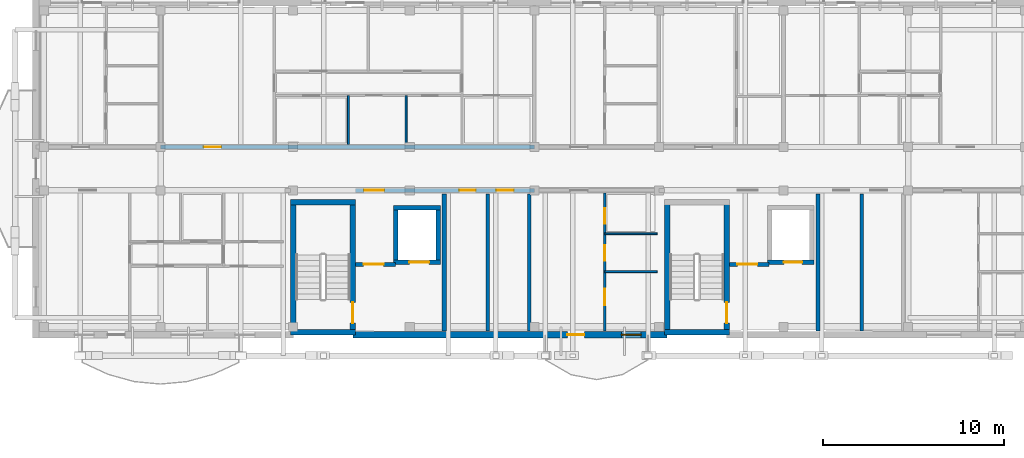
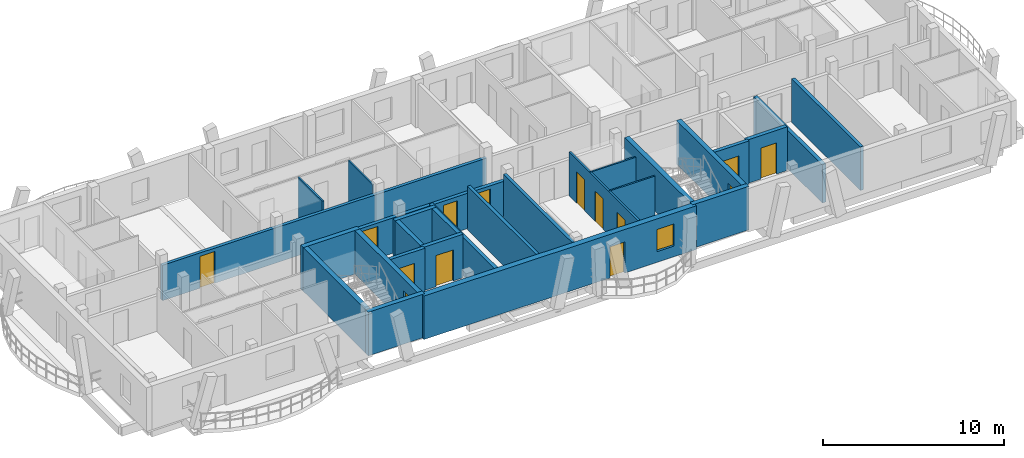
# One storey, part 34 of 50: 27 walls, 14 doors, 1 window, 15 openings.
"""IFC4 building model written with IfcOpenShell, lengths in metres."""

from ifc_helpers import new_model, si_unit, direction, frame, frame_2d, origin, origin_with_axes, place, context, subcontext, project, spatial, rectangle, extrude, material, layer, layer_set, type_object, element, fill, save


model = new_model("IFC4")

# Units and contexts
model_context = context("Model", 3, precision=1e-05, world=origin(), true_north=direction((0.0, 1.0)))
body_context = subcontext(model_context, "Body", "Model", "MODEL_VIEW")
ifc_project = project(units=[si_unit("LENGTHUNIT", "METRE"), si_unit("AREAUNIT", "SQUARE_METRE"), si_unit("VOLUMEUNIT", "CUBIC_METRE"), si_unit("PLANEANGLEUNIT", "RADIAN"), si_unit("MASSUNIT", "GRAM", prefix="KILO")], contexts=[model_context])

# Site, building, storey
site_placement = place(None, origin())
site = spatial("IfcSite", under=ifc_project, at=site_placement, CompositionType="ELEMENT")
building_placement = place(site_placement, origin())
building = spatial("IfcBuilding", under=site, at=building_placement, Name="Zavelmont Quarter", CompositionType="ELEMENT")
storey_placement = place(building_placement, frame((0.0, 0.0, 11.199951171875)))
storey = spatial("IfcBuildingStorey", under=building, at=storey_placement, Name="L03", CompositionType="ELEMENT", Elevation=11.199951171875)

# Wall, openings, door, window
ifc_material_1 = material(Name="Natural Belgian limestone", Category="masonry")
ifc_layer_1 = layer(ifc_material_1, 0.360107421875)
ifc_layer_set_1 = layer_set([ifc_layer_1], Name="Natural Belgian limestone")
wall_type_1 = type_object("IfcWallType", Name="EW02", PredefinedType="STANDARD", material=ifc_layer_set_1)
wall_1_placement = place(storey_placement, frame((130.35009765625, 97.60009765625, 0.0), z_axis=(0.0, 0.0, 1.0), x_axis=(1.0, 0.0, 0.0)))
wall_1 = element("IfcWall", 1, at=wall_1_placement, inside=storey, type_object=wall_type_1, Name="L03 exterior limestone wall EW02", PredefinedType="STANDARD", context=body_context, shape_type="SweptSolid", body=[
    extrude(rectangle(XDim=17.39990234375, YDim=0.360107421875, at=frame_2d((8.699951171875, 0.0))), origin(), (0.0, 0.0, 1.0), 2.93994140625),
])
opening_1_placement = place(wall_1_placement, frame((11.874267578125, 0.0, 0.0)))
opening_1 = element("IfcOpeningElement", 2, at=opening_1_placement, cuts=wall_1, Name="Opening DR04", PredefinedType="OPENING", context=body_context, shape_type="SweptSolid", body=[
    extrude(rectangle(XDim=0.949951171875, YDim=2.10009765625, at=frame_2d((0.47509765625, 1.050048828125))), frame((0.0, 0.19189453125, 0.0), z_axis=(0.0, -1.0, 0.0), x_axis=(1.0, 0.0, 0.0)), (0.0, 0.0, 1.0), 0.384033203125),
])
opening_2_placement = place(wall_1_placement, frame((14.8701171875, 0.0, 0.719970703125)))
opening_2 = element("IfcOpeningElement", 3, at=opening_2_placement, cuts=wall_1, Name="Opening WN09", PredefinedType="OPENING", context=body_context, shape_type="SweptSolid", body=[
    extrude(rectangle(XDim=1.10009765625, YDim=1.5, at=frame_2d((0.550048828125, 0.75))), frame((0.0, 0.19189453125, 0.0), z_axis=(0.0, -1.0, 0.0), x_axis=(1.0, 0.0, 0.0)), (0.0, 0.0, 1.0), 0.384033203125),
])
ifc_material_2 = material(Name="Thermally broken aluminium and double safety glass", Category="aluminium")
door_type_1 = type_object("IfcDoorType", Name="DR04", OperationType="NOTDEFINED", PredefinedType="DOOR", material=ifc_material_2)
door_1_placement = place(opening_1_placement, origin_with_axes())
door_1 = element("IfcDoor", 4, at=door_1_placement, inside=storey, type_object=door_type_1, Name="Block C L03 glazed balcony door", OperationType="SINGLE_SWING_RIGHT", OverallHeight=2.10009765625, OverallWidth=0.949951171875, PredefinedType="DOOR", context=body_context, shape_type="SweptSolid", body=[
    extrude(rectangle(XDim=0.949951171875, YDim=2.10009765625, at=frame_2d((0.47509765625, 1.050048828125))), frame((0.0, 0.02490234375, 0.0), z_axis=(0.0, -1.0, 0.0), x_axis=(1.0, 0.0, 0.0)), (0.0, 0.0, 1.0), 0.050048828125),
])
fill(opening_1, door_1)
ifc_material_3 = material(Name="Double low-E insulated glazing in thermally broken aluminium frame", Category="aluminium")
window_type = type_object("IfcWindowType", Name="WN09", PartitioningType="SINGLE_PANEL", PredefinedType="WINDOW", material=ifc_material_3)
window_placement = place(opening_2_placement, origin_with_axes())
window = element("IfcWindow", 5, at=window_placement, inside=storey, type_object=window_type, Name="L03 window WN09", OverallHeight=1.5, OverallWidth=1.10009765625, PartitioningType="SINGLE_PANEL", PredefinedType="WINDOW", context=body_context, shape_type="SweptSolid", body=[
    extrude(rectangle(XDim=1.10009765625, YDim=1.5, at=frame_2d((0.550048828125, 0.75))), frame((0.0, 0.030029296875, 0.0), z_axis=(0.0, -1.0, 0.0), x_axis=(1.0, 0.0, 0.0)), (0.0, 0.0, 1.0), 0.06005859375),
])
fill(opening_2, window)

# Walls
ifc_material_4 = material(Name="Calcium-silicate blockwork and acoustic plaster", Category="masonry")
ifc_layer_2 = layer(ifc_material_4, 0.199951171875)
ifc_layer_set_2 = layer_set([ifc_layer_2], Name="Calcium-silicate blockwork and acoustic plaster")
wall_type_2 = type_object("IfcWallType", Name="IW01", PredefinedType="PARTITIONING", material=ifc_layer_set_2)
for number, where, z_axis, x_axis, name in (
    (6, (137.824951171875, 97.800048828125, 0.0), (0.0, 0.0, 1.0), (0.0, 1.0, 0.0), "L03 Service riser divider wall IW01"),
    (7, (140.1201171875, 97.800048828125, 0.0), (0.0, 0.0, 1.0), (0.0, 1.0, 0.0), "L03 Core service end wall IW01"),
    (8, (158.52490234375, 97.800048828125, 0.0), (0.0, 0.0, 1.0), (0.0, 1.0, 0.0), "L03 Service riser divider wall IW01"),
):
    element("IfcWall", number, at=place(storey_placement, frame(where, z_axis=z_axis, x_axis=x_axis)), inside=storey, type_object=wall_type_2, Name=name, PredefinedType="PARTITIONING", context=body_context, shape_type="SweptSolid", body=[
        extrude(rectangle(XDim=7.599853515625, YDim=0.199951171875, at=frame_2d((3.7998046875, 0.0))), origin(), (0.0, 0.0, 1.0), 2.93994140625),
    ])

# Wall, opening, door
wall_2_placement = place(storey_placement, frame((119.699951171875, 108.0, 0.0), z_axis=(0.0, 0.0, 1.0), x_axis=(1.0, 0.0, 0.0)))
wall_2 = element("IfcWall", 9, at=wall_2_placement, inside=storey, type_object=wall_type_2, Name="L03 Corridor compartment wall IW01", PredefinedType="PARTITIONING", context=body_context, shape_type="SweptSolid", body=[
    extrude(rectangle(XDim=20.699951171875, YDim=0.199951171875, at=frame_2d((10.35009765625, 0.0))), origin(), (0.0, 0.0, 1.0), 2.380126953125),
])
opening_3_placement = place(wall_2_placement, frame((2.39990234375, 0.0, 0.0)))
opening_3 = element("IfcOpeningElement", 10, at=opening_3_placement, cuts=wall_2, Name="Opening DR02", PredefinedType="OPENING", context=body_context, shape_type="SweptSolid", body=[
    extrude(rectangle(XDim=0.949951171875, YDim=2.14990234375, at=frame_2d((0.47509765625, 1.074951171875))), frame((0.0, 0.11181640625, 0.0), z_axis=(0.0, -1.0, 0.0), x_axis=(1.0, 0.0, 0.0)), (0.0, 0.0, 1.0), 0.223876953125),
])
ifc_material_5 = material(Name="Solid-core oak fire leaf in steel frame", Category="steel")
door_type_2 = type_object("IfcDoorType", Name="DR02", OperationType="NOTDEFINED", PredefinedType="DOOR", material=ifc_material_5)
door_2_placement = place(opening_3_placement, origin_with_axes())
door_2 = element("IfcDoor", 11, at=door_2_placement, inside=storey, type_object=door_type_2, Name="L03 door DR02", OperationType="SINGLE_SWING_RIGHT", OverallHeight=2.14990234375, OverallWidth=0.949951171875, PredefinedType="DOOR", context=body_context, shape_type="SweptSolid", body=[
    extrude(rectangle(XDim=0.949951171875, YDim=2.14990234375, at=frame_2d((0.47509765625, 1.074951171875))), frame((0.0, 0.02490234375, 0.0), z_axis=(0.0, -1.0, 0.0), x_axis=(1.0, 0.0, 0.0)), (0.0, 0.0, 1.0), 0.050048828125),
])
fill(opening_3, door_2)

# Wall
ifc_material_6 = material(Name="Reinforced masonry fire compartment wall", Category="masonry")
ifc_layer_3 = layer(ifc_material_6, 0.22509765625)
ifc_layer_set_3 = layer_set([ifc_layer_3], Name="Reinforced masonry fire compartment wall")
wall_type_3 = type_object("IfcWallType", Name="IW02", PredefinedType="PARTITIONING", material=ifc_layer_set_3)
wall_3_placement = place(storey_placement, frame((135.409912109375, 97.800048828125, 0.0), z_axis=(0.0, 0.0, 1.0), x_axis=(0.0, 1.0, 0.0)))
element("IfcWall", 12, at=wall_3_placement, inside=storey, type_object=wall_type_3, Name="L03 Firefighting lobby enclosure wall IW02", PredefinedType="PARTITIONING", context=body_context, shape_type="SweptSolid", body=[
    extrude(rectangle(XDim=7.599853515625, YDim=0.22509765625, at=frame_2d((3.7998046875, 0.0))), origin(), (0.0, 0.0, 1.0), 2.590087890625),
])

# Wall, opening, door
wall_4_placement = place(storey_placement, frame((130.5, 101.5, 0.0), z_axis=(0.0, 0.0, 1.0), x_axis=(1.0, 0.0, 0.0)))
wall_4 = element("IfcWall", 13, at=wall_4_placement, inside=storey, type_object=wall_type_3, Name="L03 Firefighting lobby threshold wall IW02", PredefinedType="PARTITIONING", context=body_context, shape_type="SweptSolid", body=[
    extrude(rectangle(XDim=2.199951171875, YDim=0.22509765625, at=frame_2d((1.10009765625, 0.0))), origin(), (0.0, 0.0, 1.0), 2.93994140625),
])
opening_4_placement = place(wall_4_placement, frame((0.449951171875, 0.0, 0.0)))
opening_4 = element("IfcOpeningElement", 14, at=opening_4_placement, cuts=wall_4, Name="Opening DR10", PredefinedType="OPENING", context=body_context, shape_type="SweptSolid", body=[
    extrude(rectangle(XDim=1.10009765625, YDim=2.14990234375, at=frame_2d((0.550048828125, 1.074951171875))), frame((0.0, 0.12451171875, 0.0), z_axis=(0.0, -1.0, 0.0), x_axis=(1.0, 0.0, 0.0)), (0.0, 0.0, 1.0), 0.2490234375),
])
ifc_material_7 = material(Name="Painted steel lobby fire door", Category="steel")
door_type_3 = type_object("IfcDoorType", Name="DR10", OperationType="NOTDEFINED", PredefinedType="DOOR", material=ifc_material_7)
door_3_placement = place(opening_4_placement, frame((1.10009765625, 0.0, 0.0), z_axis=(0.0, 0.0, 1.0), x_axis=(-1.0, 0.0, 0.0)))
door_3 = element("IfcDoor", 15, at=door_3_placement, inside=storey, type_object=door_type_3, Name="Firefighting lobby fire door", OperationType="SINGLE_SWING_LEFT", OverallHeight=2.14990234375, OverallWidth=1.10009765625, PredefinedType="DOOR", context=body_context, shape_type="SweptSolid", body=[
    extrude(rectangle(XDim=1.10009765625, YDim=2.14990234375, at=frame_2d((0.550048828125, 1.074951171875))), frame((0.0, 0.02490234375, 0.0), z_axis=(0.0, -1.0, 0.0), x_axis=(1.0, 0.0, 0.0)), (0.0, 0.0, 1.0), 0.050048828125),
])
fill(opening_4, door_3)

# Wall, openings, doors
wall_5_placement = place(storey_placement, frame((130.5, 105.60009765625, 0.0), z_axis=(0.0, 0.0, 1.0), x_axis=(1.0, 0.0, 0.0)))
wall_5 = element("IfcWall", 16, at=wall_5_placement, inside=storey, type_object=wall_type_3, Name="L03 Core corridor fire wall IW02", PredefinedType="PARTITIONING", context=body_context, shape_type="SweptSolid", body=[
    extrude(rectangle(XDim=9.89990234375, YDim=0.22509765625, at=frame_2d((4.949951171875, 0.0))), origin(), (0.0, 0.0, 1.0), 2.380126953125),
])
opening_5_placement = place(wall_5_placement, frame((0.47509765625, 0.0, 0.0)))
opening_5 = element("IfcOpeningElement", 17, at=opening_5_placement, cuts=wall_5, Name="Opening DR10", PredefinedType="OPENING", context=body_context, shape_type="SweptSolid", body=[
    extrude(rectangle(XDim=1.10009765625, YDim=2.14990234375, at=frame_2d((0.550048828125, 1.074951171875))), frame((0.0, 0.12451171875, 0.0), z_axis=(0.0, -1.0, 0.0), x_axis=(1.0, 0.0, 0.0)), (0.0, 0.0, 1.0), 0.2490234375),
])
opening_6_placement = place(wall_5_placement, frame((5.75, 0.0, 0.0)))
opening_6 = element("IfcOpeningElement", 18, at=opening_6_placement, cuts=wall_5, Name="Opening DR11", PredefinedType="OPENING", context=body_context, shape_type="SweptSolid", body=[
    extrude(rectangle(XDim=0.89990234375, YDim=2.10009765625, at=frame_2d((0.449951171875, 1.050048828125))), frame((0.0, 0.12451171875, 0.0), z_axis=(0.0, -1.0, 0.0), x_axis=(1.0, 0.0, 0.0)), (0.0, 0.0, 1.0), 0.2490234375),
])
opening_7_placement = place(wall_5_placement, frame((7.800048828125, 0.0, 0.0)))
opening_7 = element("IfcOpeningElement", 19, at=opening_7_placement, cuts=wall_5, Name="Opening DR02", PredefinedType="OPENING", context=body_context, shape_type="SweptSolid", body=[
    extrude(rectangle(XDim=0.949951171875, YDim=2.14990234375, at=frame_2d((0.47509765625, 1.074951171875))), frame((0.0, 0.12451171875, 0.0), z_axis=(0.0, -1.0, 0.0), x_axis=(1.0, 0.0, 0.0)), (0.0, 0.0, 1.0), 0.2490234375),
])
door_4_placement = place(opening_7_placement, origin_with_axes())
door_4 = element("IfcDoor", 20, at=door_4_placement, inside=storey, type_object=door_type_2, Name="Auxiliary store corridor door", OperationType="SINGLE_SWING_RIGHT", OverallHeight=2.14990234375, OverallWidth=0.949951171875, PredefinedType="DOOR", context=body_context, shape_type="SweptSolid", body=[
    extrude(rectangle(XDim=0.949951171875, YDim=2.14990234375, at=frame_2d((0.47509765625, 1.074951171875))), frame((0.0, 0.02490234375, 0.0), z_axis=(0.0, -1.0, 0.0), x_axis=(1.0, 0.0, 0.0)), (0.0, 0.0, 1.0), 0.050048828125),
])
fill(opening_7, door_4)
door_5_placement = place(opening_5_placement, frame((1.10009765625, 0.0, 0.0), z_axis=(0.0, 0.0, 1.0), x_axis=(-1.0, 0.0, 0.0)))
door_5 = element("IfcDoor", 21, at=door_5_placement, inside=storey, type_object=door_type_3, Name="Core vestibule fire door", OperationType="SINGLE_SWING_RIGHT", OverallHeight=2.14990234375, OverallWidth=1.10009765625, PredefinedType="DOOR", context=body_context, shape_type="SweptSolid", body=[
    extrude(rectangle(XDim=1.10009765625, YDim=2.14990234375, at=frame_2d((0.550048828125, 1.074951171875))), frame((0.0, 0.02490234375, 0.0), z_axis=(0.0, -1.0, 0.0), x_axis=(1.0, 0.0, 0.0)), (0.0, 0.0, 1.0), 0.050048828125),
])
fill(opening_5, door_5)
ifc_material_8 = material(Name="Painted steel service-riser fire door", Category="steel")
door_type_4 = type_object("IfcDoorType", Name="DR11", OperationType="NOTDEFINED", PredefinedType="DOOR", material=ifc_material_8)
door_6_placement = place(opening_6_placement, origin_with_axes())
door_6 = element("IfcDoor", 22, at=door_6_placement, inside=storey, type_object=door_type_4, Name="Service riser fire door", OperationType="SINGLE_SWING_LEFT", OverallHeight=2.10009765625, OverallWidth=0.89990234375, PredefinedType="DOOR", context=body_context, shape_type="SweptSolid", body=[
    extrude(rectangle(XDim=0.89990234375, YDim=2.10009765625, at=frame_2d((0.449951171875, 1.050048828125))), frame((0.0, 0.02490234375, 0.0), z_axis=(0.0, -1.0, 0.0), x_axis=(1.0, 0.0, 0.0)), (0.0, 0.0, 1.0), 0.050048828125),
])
fill(opening_6, door_6)

# Wall
wall_6_placement = place(storey_placement, frame((156.110107421875, 97.800048828125, 0.0), z_axis=(0.0, 0.0, 1.0), x_axis=(0.0, 1.0, 0.0)))
element("IfcWall", 23, at=wall_6_placement, inside=storey, type_object=wall_type_3, Name="L03 Firefighting lobby enclosure wall IW02", PredefinedType="PARTITIONING", context=body_context, shape_type="SweptSolid", body=[
    extrude(rectangle(XDim=7.599853515625, YDim=0.22509765625, at=frame_2d((3.7998046875, 0.0))), origin(), (0.0, 0.0, 1.0), 2.590087890625),
])

# Wall, opening, door
wall_7_placement = place(storey_placement, frame((151.199951171875, 101.5, 0.0), z_axis=(0.0, 0.0, 1.0), x_axis=(1.0, 0.0, 0.0)))
wall_7 = element("IfcWall", 24, at=wall_7_placement, inside=storey, type_object=wall_type_3, Name="L03 Firefighting lobby threshold wall IW02", PredefinedType="PARTITIONING", context=body_context, shape_type="SweptSolid", body=[
    extrude(rectangle(XDim=2.199951171875, YDim=0.22509765625, at=frame_2d((1.10009765625, 0.0))), origin(), (0.0, 0.0, 1.0), 2.93994140625),
])
opening_8_placement = place(wall_7_placement, frame((0.449951171875, 0.0, 0.0)))
opening_8 = element("IfcOpeningElement", 25, at=opening_8_placement, cuts=wall_7, Name="Opening DR10", PredefinedType="OPENING", context=body_context, shape_type="SweptSolid", body=[
    extrude(rectangle(XDim=1.10009765625, YDim=2.14990234375, at=frame_2d((0.550048828125, 1.074951171875))), frame((0.0, 0.12451171875, 0.0), z_axis=(0.0, -1.0, 0.0), x_axis=(1.0, 0.0, 0.0)), (0.0, 0.0, 1.0), 0.2490234375),
])
door_7_placement = place(opening_8_placement, frame((1.10009765625, 0.0, 0.0), z_axis=(0.0, 0.0, 1.0), x_axis=(-1.0, 0.0, 0.0)))
door_7 = element("IfcDoor", 26, at=door_7_placement, inside=storey, type_object=door_type_3, Name="Firefighting lobby fire door", OperationType="SINGLE_SWING_RIGHT", OverallHeight=2.14990234375, OverallWidth=1.10009765625, PredefinedType="DOOR", context=body_context, shape_type="SweptSolid", body=[
    extrude(rectangle(XDim=1.10009765625, YDim=2.14990234375, at=frame_2d((0.550048828125, 1.074951171875))), frame((0.0, 0.02490234375, 0.0), z_axis=(0.0, -1.0, 0.0), x_axis=(1.0, 0.0, 0.0)), (0.0, 0.0, 1.0), 0.050048828125),
])
fill(opening_8, door_7)

# Wall, openings, doors
ifc_material_9 = material(Name="Double gypsum board on acoustic steel stud", Category="steel")
ifc_layer_4 = layer(ifc_material_9, 0.125)
ifc_layer_set_4 = layer_set([ifc_layer_4], Name="Double gypsum board on acoustic steel stud")
wall_type_4 = type_object("IfcWallType", Name="IW03", PredefinedType="PARTITIONING", material=ifc_layer_set_4)
wall_8_placement = place(storey_placement, frame((144.300048828125, 105.449951171875, 0.0), z_axis=(0.0, 0.0, 1.0), x_axis=(0.0, -1.0, 0.0)))
wall_8 = element("IfcWall", 27, at=wall_8_placement, inside=storey, type_object=wall_type_4, Name="L03 Partition IW03", PredefinedType="PARTITIONING", context=body_context, shape_type="SweptSolid", body=[
    extrude(rectangle(XDim=7.64990234375, YDim=0.125, at=frame_2d((3.824951171875, 0.0))), origin(), (0.0, 0.0, 1.0), 2.93994140625),
])
opening_9_placement = place(wall_8_placement, frame((0.85009765625, 0.0, 0.0)))
opening_9 = element("IfcOpeningElement", 28, at=opening_9_placement, cuts=wall_8, Name="Opening DR16", PredefinedType="OPENING", context=body_context, shape_type="SweptSolid", body=[
    extrude(rectangle(XDim=0.85009765625, YDim=2.10009765625, at=frame_2d((0.425048828125, 1.050048828125))), frame((0.0, 0.074462890625, 0.0), z_axis=(0.0, -1.0, 0.0), x_axis=(1.0, 0.0, 0.0)), (0.0, 0.0, 1.0), 0.14892578125),
])
opening_10_placement = place(wall_8_placement, frame((2.89990234375, 0.0, 0.0)))
opening_10 = element("IfcOpeningElement", 29, at=opening_10_placement, cuts=wall_8, Name="Opening DR06", PredefinedType="OPENING", context=body_context, shape_type="SweptSolid", body=[
    extrude(rectangle(XDim=0.85009765625, YDim=2.050048828125, at=frame_2d((0.425048828125, 1.02490234375))), frame((0.0, 0.074462890625, 0.0), z_axis=(0.0, -1.0, 0.0), x_axis=(1.0, 0.0, 0.0)), (0.0, 0.0, 1.0), 0.14892578125),
])
opening_11_placement = place(wall_8_placement, frame((5.300048828125, 0.0, 0.0)))
opening_11 = element("IfcOpeningElement", 30, at=opening_11_placement, cuts=wall_8, Name="Opening DR05", PredefinedType="OPENING", context=body_context, shape_type="SweptSolid", body=[
    extrude(rectangle(XDim=0.89990234375, YDim=2.10009765625, at=frame_2d((0.449951171875, 1.050048828125))), frame((0.0, 0.074462890625, 0.0), z_axis=(0.0, -1.0, 0.0), x_axis=(1.0, 0.0, 0.0)), (0.0, 0.0, 1.0), 0.14892578125),
])
ifc_material_10 = material(Name="Engineered oak flush interior door")
door_type_5 = type_object("IfcDoorType", Name="DR05", OperationType="NOTDEFINED", PredefinedType="DOOR", material=ifc_material_10)
door_8_placement = place(opening_11_placement, frame((0.89990234375, 0.0, 0.0), z_axis=(0.0, 0.0, 1.0), x_axis=(-1.0, 0.0, 0.0)))
door_8 = element("IfcDoor", 31, at=door_8_placement, inside=storey, type_object=door_type_5, Name="L03 door DR05", OperationType="SINGLE_SWING_RIGHT", OverallHeight=2.10009765625, OverallWidth=0.89990234375, PredefinedType="DOOR", context=body_context, shape_type="SweptSolid", body=[
    extrude(rectangle(XDim=0.89990234375, YDim=2.10009765625, at=frame_2d((0.449951171875, 1.050048828125))), frame((0.0, 0.02490234375, 0.0), z_axis=(0.0, -1.0, 0.0), x_axis=(1.0, 0.0, 0.0)), (0.0, 0.0, 1.0), 0.050048828125),
])
fill(opening_11, door_8)
ifc_material_11 = material(Name="Moisture-resistant painted wet-room door")
door_type_6 = type_object("IfcDoorType", Name="DR06", OperationType="NOTDEFINED", PredefinedType="DOOR", material=ifc_material_11)
door_9_placement = place(opening_10_placement, origin_with_axes())
door_9 = element("IfcDoor", 32, at=door_9_placement, inside=storey, type_object=door_type_6, Name="L03 door DR06", OperationType="SINGLE_SWING_LEFT", OverallHeight=2.050048828125, OverallWidth=0.85009765625, PredefinedType="DOOR", context=body_context, shape_type="SweptSolid", body=[
    extrude(rectangle(XDim=0.85009765625, YDim=2.050048828125, at=frame_2d((0.425048828125, 1.02490234375))), frame((0.0, 0.02490234375, 0.0), z_axis=(0.0, -1.0, 0.0), x_axis=(1.0, 0.0, 0.0)), (0.0, 0.0, 1.0), 0.050048828125),
])
fill(opening_10, door_9)
door_type_7 = type_object("IfcDoorType", Name="DR16", OperationType="NOTDEFINED", PredefinedType="DOOR", material=ifc_material_10)
door_10_placement = place(opening_9_placement, frame((0.85009765625, 0.0, 0.0), z_axis=(0.0, 0.0, 1.0), x_axis=(-1.0, 0.0, 0.0)))
door_10 = element("IfcDoor", 33, at=door_10_placement, inside=storey, type_object=door_type_7, Name="L03 door DR16", OperationType="SINGLE_SWING_RIGHT", OverallHeight=2.10009765625, OverallWidth=0.85009765625, PredefinedType="DOOR", context=body_context, shape_type="SweptSolid", body=[
    extrude(rectangle(XDim=0.85009765625, YDim=2.10009765625, at=frame_2d((0.425048828125, 1.050048828125))), frame((0.0, 0.02490234375, 0.0), z_axis=(0.0, -1.0, 0.0), x_axis=(1.0, 0.0, 0.0)), (0.0, 0.0, 1.0), 0.050048828125),
])
fill(opening_9, door_10)

# Walls
ifc_material_12 = material(Name="Moisture-resistant gypsum board on steel stud", Category="steel")
ifc_layer_5 = layer(ifc_material_12, 0.10009765625)
ifc_layer_set_5 = layer_set([ifc_layer_5], Name="Moisture-resistant gypsum board on steel stud")
wall_type_5 = type_object("IfcWallType", Name="IW04", PredefinedType="PARTITIONING", material=ifc_layer_set_5)
for number, where, z_axis, x_axis, name in (
    (34, (130.10009765625, 108.14990234375, 0.0), (0.0, 0.0, 1.0), (0.0, 1.0, 0.0), "L03 Partition IW04"),
    (35, (133.300048828125, 108.14990234375, 0.0), (0.0, 0.0, 1.0), (0.0, 1.0, 0.0), "L03 Partition IW04"),
):
    element("IfcWall", number, at=place(storey_placement, frame(where, z_axis=z_axis, x_axis=x_axis)), inside=storey, type_object=wall_type_5, Name=name, PredefinedType="PARTITIONING", context=body_context, shape_type="SweptSolid", body=[
        extrude(rectangle(XDim=2.7001953125, YDim=0.10009765625, at=frame_2d((1.35009765625, 0.0))), origin(), (0.0, 0.0, 1.0), 2.93994140625),
    ])
for number, where, z_axis, x_axis, name in (
    (36, (144.300048828125, 103.199951171875, 0.0), (0.0, 0.0, 1.0), (1.0, 0.0, 0.0), "L03 Partition IW04"),
    (37, (144.300048828125, 101.10009765625, 0.0), (0.0, 0.0, 1.0), (1.0, 0.0, 0.0), "L03 Partition IW04"),
):
    element("IfcWall", number, at=place(storey_placement, frame(where, z_axis=z_axis, x_axis=x_axis)), inside=storey, type_object=wall_type_5, Name=name, PredefinedType="PARTITIONING", context=body_context, shape_type="SweptSolid", body=[
        extrude(rectangle(XDim=2.89990234375, YDim=0.10009765625, at=frame_2d((1.449951171875, 0.0))), origin(), (0.0, 0.0, 1.0), 2.93994140625),
    ])
ifc_material_13 = material(Name="Concrete C40/50", Category="concrete")
ifc_layer_6 = layer(ifc_material_13, 0.300048828125)
ifc_layer_set_6 = layer_set([ifc_layer_6], Name="Concrete C40/50")
wall_type_6 = type_object("IfcWallType", Name="SW01", PredefinedType="SHEAR", material=ifc_layer_set_6)
wall_9_placement = place(storey_placement, frame((126.89990234375, 104.949951171875, 0.0), z_axis=(0.0, 0.0, 1.0), x_axis=(1.0, 0.0, 0.0)))
element("IfcWall", 38, at=wall_9_placement, inside=storey, type_object=wall_type_6, Name="L03 ST05 corridor shear wall SW01", PredefinedType="SHEAR", context=body_context, shape_type="SweptSolid", body=[
    extrude(rectangle(XDim=3.60009765625, YDim=0.300048828125, at=frame_2d((1.800048828125, 0.0))), origin(), (0.0, 0.0, 1.0), 2.93994140625),
])
wall_10_placement = place(storey_placement, frame((127.050048828125, 97.60009765625, 0.0), z_axis=(0.0, 0.0, 1.0), x_axis=(0.0, 1.0, 0.0)))
element("IfcWall", 39, at=wall_10_placement, inside=storey, type_object=wall_type_6, Name="L03 ST05 west shear wall SW01", PredefinedType="SHEAR", context=body_context, shape_type="SweptSolid", body=[
    extrude(rectangle(XDim=7.5, YDim=0.300048828125, at=frame_2d((3.75, 0.0))), origin(), (0.0, 0.0, 1.0), 2.93994140625),
])

# Wall, opening, door
wall_11_placement = place(storey_placement, frame((130.35009765625, 97.60009765625, 0.0), z_axis=(0.0, 0.0, 1.0), x_axis=(0.0, 1.0, 0.0)))
wall_11 = element("IfcWall", 40, at=wall_11_placement, inside=storey, type_object=wall_type_6, Name="L03 ST05 lobby shear wall SW01", PredefinedType="SHEAR", context=body_context, shape_type="SweptSolid", body=[
    extrude(rectangle(XDim=7.5, YDim=0.300048828125, at=frame_2d((3.75, 0.0))), origin(), (0.0, 0.0, 1.0), 2.93994140625),
])
opening_12_placement = place(wall_11_placement, frame((0.64990234375, 0.0, 0.0)))
opening_12 = element("IfcOpeningElement", 41, at=opening_12_placement, cuts=wall_11, Name="Opening DR09", PredefinedType="OPENING", context=body_context, shape_type="SweptSolid", body=[
    extrude(rectangle(XDim=1.14990234375, YDim=2.14990234375, at=frame_2d((0.574951171875, 1.074951171875))), frame((0.0, 0.162109375, 0.0), z_axis=(0.0, -1.0, 0.0), x_axis=(1.0, 0.0, 0.0)), (0.0, 0.0, 1.0), 0.323974609375),
])
ifc_material_14 = material(Name="Painted steel stair-core fire door", Category="steel")
door_type_8 = type_object("IfcDoorType", Name="DR09", OperationType="NOTDEFINED", PredefinedType="DOOR", material=ifc_material_14)
door_11_placement = place(opening_12_placement, origin_with_axes())
door_11 = element("IfcDoor", 42, at=door_11_placement, inside=storey, type_object=door_type_8, Name="ST05 protected stair door", OperationType="SINGLE_SWING_RIGHT", OverallHeight=2.14990234375, OverallWidth=1.14990234375, PredefinedType="DOOR", context=body_context, shape_type="SweptSolid", body=[
    extrude(rectangle(XDim=1.14990234375, YDim=2.14990234375, at=frame_2d((0.574951171875, 1.074951171875))), frame((0.0, 0.02490234375, 0.0), z_axis=(0.0, -1.0, 0.0), x_axis=(1.0, 0.0, 0.0)), (0.0, 0.0, 1.0), 0.050048828125),
])
fill(opening_12, door_11)

# Wall
wall_12_placement = place(storey_placement, frame((147.75, 97.60009765625, 0.0), z_axis=(0.0, 0.0, 1.0), x_axis=(0.0, 1.0, 0.0)))
element("IfcWall", 43, at=wall_12_placement, inside=storey, type_object=wall_type_6, Name="L03 ST06 west shear wall SW01", PredefinedType="SHEAR", context=body_context, shape_type="SweptSolid", body=[
    extrude(rectangle(XDim=7.5, YDim=0.300048828125, at=frame_2d((3.75, 0.0))), origin(), (0.0, 0.0, 1.0), 2.93994140625),
])

# Wall, opening, door
wall_13_placement = place(storey_placement, frame((151.050048828125, 97.60009765625, 0.0), z_axis=(0.0, 0.0, 1.0), x_axis=(0.0, 1.0, 0.0)))
wall_13 = element("IfcWall", 44, at=wall_13_placement, inside=storey, type_object=wall_type_6, Name="L03 ST06 lobby shear wall SW01", PredefinedType="SHEAR", context=body_context, shape_type="SweptSolid", body=[
    extrude(rectangle(XDim=7.5, YDim=0.300048828125, at=frame_2d((3.75, 0.0))), origin(), (0.0, 0.0, 1.0), 2.93994140625),
])
opening_13_placement = place(wall_13_placement, frame((0.64990234375, 0.0, 0.0)))
opening_13 = element("IfcOpeningElement", 45, at=opening_13_placement, cuts=wall_13, Name="Opening DR09", PredefinedType="OPENING", context=body_context, shape_type="SweptSolid", body=[
    extrude(rectangle(XDim=1.14990234375, YDim=2.14990234375, at=frame_2d((0.574951171875, 1.074951171875))), frame((0.0, 0.162109375, 0.0), z_axis=(0.0, -1.0, 0.0), x_axis=(1.0, 0.0, 0.0)), (0.0, 0.0, 1.0), 0.323974609375),
])
door_12_placement = place(opening_13_placement, origin_with_axes())
door_12 = element("IfcDoor", 46, at=door_12_placement, inside=storey, type_object=door_type_8, Name="ST06 protected stair door", OperationType="SINGLE_SWING_RIGHT", OverallHeight=2.14990234375, OverallWidth=1.14990234375, PredefinedType="DOOR", context=body_context, shape_type="SweptSolid", body=[
    extrude(rectangle(XDim=1.14990234375, YDim=2.14990234375, at=frame_2d((0.574951171875, 1.074951171875))), frame((0.0, 0.02490234375, 0.0), z_axis=(0.0, -1.0, 0.0), x_axis=(1.0, 0.0, 0.0)), (0.0, 0.0, 1.0), 0.050048828125),
])
fill(opening_13, door_12)

ifc_layer_7 = layer(ifc_material_13, 0.25)
ifc_layer_set_7 = layer_set([ifc_layer_7], Name="Concrete C40/50")
wall_type_7 = type_object("IfcWallType", Name="SW02", PredefinedType="SHEAR", material=ifc_layer_set_7)
wall_14_placement = place(storey_placement, frame((132.60009765625, 101.625, 0.0), z_axis=(0.0, 0.0, 1.0), x_axis=(1.0, 0.0, 0.0)))
wall_14 = element("IfcWall", 47, at=wall_14_placement, inside=storey, type_object=wall_type_7, Name="L03 Lift FL03 landing shaft wall SW02", PredefinedType="SHEAR", context=body_context, shape_type="SweptSolid", body=[
    extrude(rectangle(XDim=2.599853515625, YDim=0.25, at=frame_2d((1.2998046875, 0.0))), origin(), (0.0, 0.0, 1.0), 2.93994140625),
])
opening_14_placement = place(wall_14_placement, frame((0.875, 0.0, 0.0)))
opening_14 = element("IfcOpeningElement", 48, at=opening_14_placement, cuts=wall_14, Name="Opening LD02", PredefinedType="OPENING", context=body_context, shape_type="SweptSolid", body=[
    extrude(rectangle(XDim=1.10009765625, YDim=2.10009765625, at=frame_2d((0.550048828125, 1.050048828125))), frame((0.0, 0.136962890625, 0.0), z_axis=(0.0, -1.0, 0.0), x_axis=(1.0, 0.0, 0.0)), (0.0, 0.0, 1.0), 0.27392578125),
])
ifc_material_15 = material(Name="Brushed stainless-steel firefighting lift landing door", Category="steel")
door_type_9 = type_object("IfcDoorType", Name="LD02", OperationType="SLIDING_TO_LEFT", PredefinedType="DOOR", material=ifc_material_15)
door_13_placement = place(opening_14_placement, origin_with_axes())
door_13 = element("IfcDoor", 49, at=door_13_placement, inside=storey, type_object=door_type_9, Name="Lift FL03 sliding landing door", OperationType="SLIDING_TO_LEFT", OverallHeight=2.10009765625, OverallWidth=1.10009765625, PredefinedType="DOOR", context=body_context, shape_type="SweptSolid", body=[
    extrude(rectangle(XDim=1.10009765625, YDim=2.10009765625, at=frame_2d((0.550048828125, 1.050048828125))), frame((0.0, 0.02490234375, 0.0), z_axis=(0.0, -1.0, 0.0), x_axis=(1.0, 0.0, 0.0)), (0.0, 0.0, 1.0), 0.050048828125),
])
fill(opening_14, door_13)

# Walls
wall_15_placement = place(storey_placement, frame((132.60009765625, 104.625, 0.0), z_axis=(0.0, 0.0, 1.0), x_axis=(1.0, 0.0, 0.0)))
element("IfcWall", 50, at=wall_15_placement, inside=storey, type_object=wall_type_7, Name="L03 Lift FL03 back shaft wall SW02", PredefinedType="SHEAR", context=body_context, shape_type="SweptSolid", body=[
    extrude(rectangle(XDim=2.599853515625, YDim=0.25, at=frame_2d((1.2998046875, 0.0))), origin(), (0.0, 0.0, 1.0), 2.93994140625),
])
for number, where, z_axis, x_axis, name in (
    (51, (132.72509765625, 101.5, 0.0), (0.0, 0.0, 1.0), (0.0, 1.0, 0.0), "L03 Lift FL03 west shaft wall SW02"),
    (52, (135.074951171875, 101.5, 0.0), (0.0, 0.0, 1.0), (0.0, 1.0, 0.0), "L03 Lift FL03 east shaft wall SW02"),
):
    element("IfcWall", number, at=place(storey_placement, frame(where, z_axis=z_axis, x_axis=x_axis)), inside=storey, type_object=wall_type_7, Name=name, PredefinedType="SHEAR", context=body_context, shape_type="SweptSolid", body=[
        extrude(rectangle(XDim=3.25, YDim=0.25, at=frame_2d((1.625, 0.0))), origin(), (0.0, 0.0, 1.0), 2.93994140625),
    ])

# Wall, opening, door
wall_16_placement = place(storey_placement, frame((153.300048828125, 101.625, 0.0), z_axis=(0.0, 0.0, 1.0), x_axis=(1.0, 0.0, 0.0)))
wall_16 = element("IfcWall", 53, at=wall_16_placement, inside=storey, type_object=wall_type_7, Name="L03 Lift LF06 landing shaft wall SW02", PredefinedType="SHEAR", context=body_context, shape_type="SweptSolid", body=[
    extrude(rectangle(XDim=2.599853515625, YDim=0.25, at=frame_2d((1.2998046875, 0.0))), origin(), (0.0, 0.0, 1.0), 2.93994140625),
])
opening_15_placement = place(wall_16_placement, frame((0.925048828125, 0.0, 0.0)))
opening_15 = element("IfcOpeningElement", 54, at=opening_15_placement, cuts=wall_16, Name="Opening LD01", PredefinedType="OPENING", context=body_context, shape_type="SweptSolid", body=[
    extrude(rectangle(XDim=1.0, YDim=2.10009765625, at=frame_2d((0.5, 1.050048828125))), frame((0.0, 0.136962890625, 0.0), z_axis=(0.0, -1.0, 0.0), x_axis=(1.0, 0.0, 0.0)), (0.0, 0.0, 1.0), 0.27392578125),
])
ifc_material_16 = material(Name="Brushed stainless-steel automatic sliding landing door", Category="steel")
door_type_10 = type_object("IfcDoorType", Name="LD01", OperationType="SLIDING_TO_LEFT", PredefinedType="DOOR", material=ifc_material_16)
door_14_placement = place(opening_15_placement, origin_with_axes())
door_14 = element("IfcDoor", 55, at=door_14_placement, inside=storey, type_object=door_type_10, Name="Lift LF06 sliding landing door", OperationType="SLIDING_TO_LEFT", OverallHeight=2.10009765625, OverallWidth=1.0, PredefinedType="DOOR", context=body_context, shape_type="SweptSolid", body=[
    extrude(rectangle(XDim=1.0, YDim=2.10009765625, at=frame_2d((0.5, 1.050048828125))), frame((0.0, 0.02490234375, 0.0), z_axis=(0.0, -1.0, 0.0), x_axis=(1.0, 0.0, 0.0)), (0.0, 0.0, 1.0), 0.050048828125),
])
fill(opening_15, door_14)

# Walls
ifc_layer_8 = layer(ifc_material_13, 0.300048828125)
ifc_layer_set_8 = layer_set([ifc_layer_8], Name="Concrete C40/50")
wall_type_8 = type_object("IfcWallType", Name="SW03", PredefinedType="SHEAR", material=ifc_layer_set_8)
wall_17_placement = place(storey_placement, frame((126.89990234375, 97.75, 0.0), z_axis=(0.0, 0.0, 1.0), x_axis=(1.0, 0.0, 0.0)))
element("IfcWall", 56, at=wall_17_placement, inside=storey, type_object=wall_type_8, Name="L03 ST05 outer shear wall SW03", PredefinedType="SHEAR", context=body_context, shape_type="SweptSolid", body=[
    extrude(rectangle(XDim=3.60009765625, YDim=0.300048828125, at=frame_2d((1.800048828125, 0.0))), origin(), (0.0, 0.0, 1.0), 2.93994140625),
])
wall_18_placement = place(storey_placement, frame((147.60009765625, 97.75, 0.0), z_axis=(0.0, 0.0, 1.0), x_axis=(1.0, 0.0, 0.0)))
element("IfcWall", 57, at=wall_18_placement, inside=storey, type_object=wall_type_8, Name="L03 ST06 outer shear wall SW03", PredefinedType="SHEAR", context=body_context, shape_type="SweptSolid", body=[
    extrude(rectangle(XDim=3.599853515625, YDim=0.300048828125, at=frame_2d((1.7998046875, 0.0))), origin(), (0.0, 0.0, 1.0), 2.93994140625),
])

save(model, "model.ifc")
